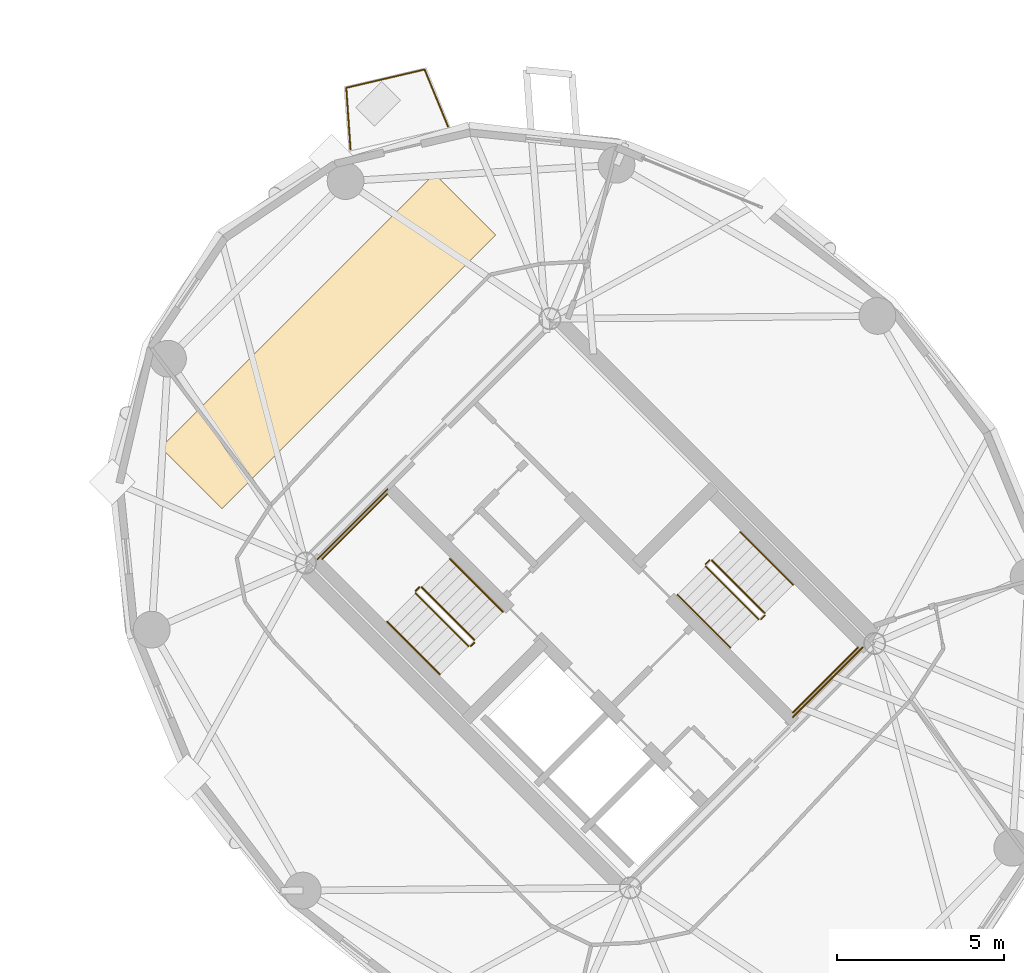
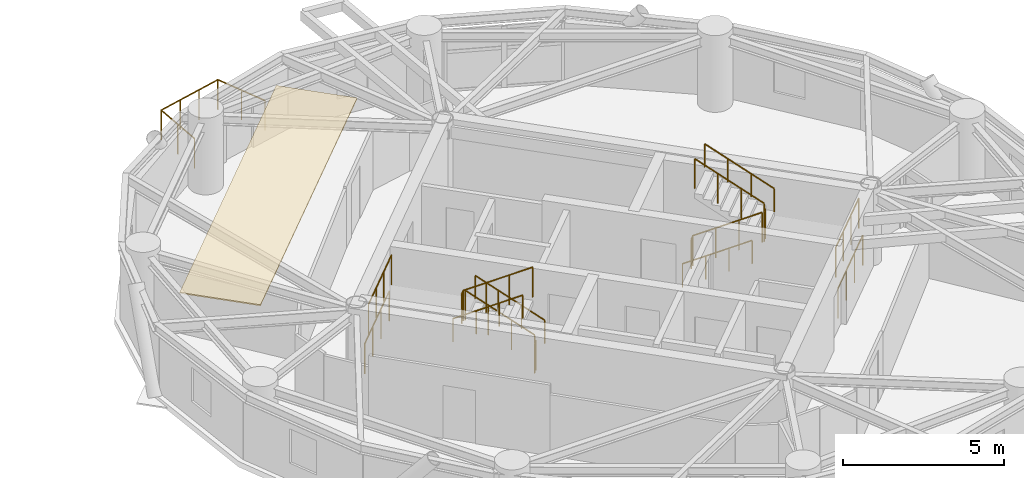
# One storey, part 15 of 16: 17 railings, 1 covering.
"""IFC4 building model written with IfcOpenShell, lengths in metres."""

from ifc_helpers import new_model, si_unit, direction, frame, origin, origin_2d, place, context, subcontext, project, spatial, polyline, circle, outline, extrude, material, layer, layer_set, type_object, element, save


model = new_model("IFC4")

# Units and contexts
model_context = context("Model", 3, precision=1e-05, world=origin(), true_north=direction((0.0, 1.0)))
body_context = subcontext(model_context, "Body", "Model", "MODEL_VIEW")
ifc_project = project(units=[si_unit("LENGTHUNIT", "METRE"), si_unit("AREAUNIT", "SQUARE_METRE"), si_unit("VOLUMEUNIT", "CUBIC_METRE"), si_unit("PLANEANGLEUNIT", "RADIAN"), si_unit("MASSUNIT", "GRAM", prefix="KILO")], contexts=[model_context])

# Site, building, storey
site_placement = place(None, origin())
site = spatial("IfcSite", under=ifc_project, at=site_placement, CompositionType="ELEMENT")
building_placement = place(site_placement, origin())
building = spatial("IfcBuilding", under=site, at=building_placement, Name="Cununo Teusaquillo Station Towers", CompositionType="ELEMENT")
storey_placement = place(building_placement, frame((0.0, 0.0, 196.659912109375)))
storey = spatial("IfcBuildingStorey", under=building, at=storey_placement, Name="L62", CompositionType="ELEMENT", Elevation=196.659912109375)

# Covering
ifc_material_1 = material(Name="Mineral-fibre acoustic suspended ceiling tile", Category="finish")
ifc_layer = layer(ifc_material_1, 0.044921875)
ifc_layer_set = layer_set([ifc_layer], Name="Mineral-fibre acoustic suspended ceiling tile")
covering_type = type_object("IfcCoveringType", Name="COV-CEIL-600", PredefinedType="CEILING", material=ifc_layer_set)
covering_placement = place(storey_placement, frame((0.0, 0.0, 2.655029296875)))
element("IfcCovering", 1, at=covering_placement, inside=storey, type_object=covering_type, Name="L62 Tower B Acoustic Ceiling", PredefinedType="CEILING", context=body_context, shape_type="SweptSolid", body=[
    extrude(outline(polyline([(52.8330078125, 37.369384765625), (54.671630859375, 35.531005859375), (46.468994140625, 27.328369140625), (44.630615234375, 29.1669921875), (52.8330078125, 37.369384765625)])), origin(), (0.0, 0.0, 1.0), 0.045166015625),
])

# Railings
ifc_material_2 = material(Name="Anodised dark bronze aluminium EN AW-6063-T6", Category="aluminium")
railing_type_1 = type_object("IfcRailingType", Name="RL-EXT-GUARD", PredefinedType="GUARDRAIL", material=ifc_material_2)
railing_1_placement = place(storey_placement, frame((50.320556640625, 38.0986328125, 0.0)))
element("IfcRailing", 2, at=railing_1_placement, inside=storey, type_object=railing_type_1, Name="L62 Tower B Balcony Guardrail C03", PredefinedType="GUARDRAIL", context=body_context, shape_type="SweptSolid", body=[
    extrude(circle(Radius=0.02392578125, at=origin_2d()), frame((0.0, 0.0, 1.1259765625), z_axis=(-0.068657089116, 0.997640318007, 0.0), x_axis=(-0.997640318007, -0.068657089116, 0.0)), (0.0, 0.0, 1.0), 1.84912109375),
    extrude(circle(Radius=0.02392578125, at=origin_2d()), frame((-0.126953125, 1.8447265625, 1.1259765625), z_axis=(0.973841956979, 0.227226413139, 0.0), x_axis=(-0.227226413139, 0.973841956979, 0.0)), (0.0, 0.0, 1.0), 2.409912109375),
    extrude(circle(Radius=0.02392578125, at=origin_2d()), frame((2.219970703125, 2.392333984375, 1.1259765625), z_axis=(0.379912800848, -0.925022304462, 0.0), x_axis=(0.925022304462, 0.379912800848, 0.0)), (0.0, 0.0, 1.0), 1.848876953125),
    extrude(circle(Radius=0.02099609375, at=origin_2d()), origin(), (0.0, 0.0, 1.0), 1.101806640625),
    extrude(circle(Radius=0.02099609375, at=origin_2d()), frame((-0.0634765625, 0.92236328125, 0.0)), (0.0, 0.0, 1.0), 1.101806640625),
    extrude(circle(Radius=0.02099609375, at=origin_2d()), frame((-0.126953125, 1.8447265625, 0.0)), (0.0, 0.0, 1.0), 1.101806640625),
    extrude(circle(Radius=0.02099609375, at=origin_2d()), frame((0.6552734375, 2.02734375, 0.0)), (0.0, 0.0, 1.0), 1.101806640625),
    extrude(circle(Radius=0.02099609375, at=origin_2d()), frame((1.437744140625, 2.209716796875, 0.0)), (0.0, 0.0, 1.0), 1.101806640625),
    extrude(circle(Radius=0.02099609375, at=origin_2d()), frame((2.219970703125, 2.392333984375, 0.0)), (0.0, 0.0, 1.0), 1.101806640625),
    extrude(circle(Radius=0.02099609375, at=origin_2d()), frame((2.5712890625, 1.537109375, 0.0)), (0.0, 0.0, 1.0), 1.101806640625),
    extrude(circle(Radius=0.02099609375, at=origin_2d()), frame((2.92236328125, 0.68212890625, 0.0)), (0.0, 0.0, 1.0), 1.101806640625),
])
ifc_material_3 = material(Name="Steel EN 10025-2 S355J2", Category="steel")
railing_type_2 = type_object("IfcRailingType", Name="RL-INT-GUARD", PredefinedType="GUARDRAIL", material=ifc_material_3)
railing_2_placement = place(storey_placement, frame((54.03515625, 23.39697265625, 0.161865234375)))
element("IfcRailing", 3, at=railing_2_placement, inside=storey, type_object=railing_type_2, Name="L62 ST-T2-1 stair guard 1", PredefinedType="GUARDRAIL", context=body_context, shape_type="SweptSolid", body=[
    extrude(circle(Radius=0.02392578125, at=origin_2d()), frame((0.0, 0.0, 1.1259765625), z_axis=(-0.612361259024, 0.612361259024, 0.500027376144), x_axis=(-0.707106781187, -0.707106781187, 0.0)), (0.0, 0.0, 1.0), 2.586181640625),
    extrude(circle(Radius=0.02099609375, at=origin_2d()), origin(), (0.0, 0.0, 1.0), 1.101806640625),
    extrude(circle(Radius=0.02099609375, at=origin_2d()), frame((-0.52783203125, 0.52783203125, 0.43115234375)), (0.0, 0.0, 1.0), 1.101806640625),
    extrude(circle(Radius=0.02099609375, at=origin_2d()), frame((-1.055908203125, 1.055908203125, 0.862060546875)), (0.0, 0.0, 1.0), 1.101806640625),
    extrude(circle(Radius=0.02099609375, at=origin_2d()), frame((-1.583740234375, 1.583740234375, 1.293212890625)), (0.0, 0.0, 1.0), 1.101806640625),
])
railing_3_placement = place(storey_placement, frame((52.380615234375, 24.980712890625, 1.455078125)))
element("IfcRailing", 4, at=railing_3_placement, inside=storey, type_object=railing_type_2, Name="L62 ST-T2-1 stair guard 2", PredefinedType="GUARDRAIL", context=body_context, shape_type="SweptSolid", body=[
    extrude(circle(Radius=0.02392578125, at=origin_2d()), frame((0.0, 0.0, 1.1259765625), z_axis=(-0.7078691598, -0.706343579714, 0.0), x_axis=(0.706343579714, -0.7078691598, 0.0)), (0.0, 0.0, 1.0), 0.159912109375),
    extrude(circle(Radius=0.02099609375, at=origin_2d()), origin(), (0.0, 0.0, 1.0), 1.101806640625),
    extrude(circle(Radius=0.02099609375, at=origin_2d()), frame((-0.11328125, -0.113037109375, 0.0)), (0.0, 0.0, 1.0), 1.101806640625),
])
railing_4_placement = place(storey_placement, frame((51.426025390625, 27.77392578125, 1.455078125)))
element("IfcRailing", 5, at=railing_4_placement, inside=storey, type_object=railing_type_2, Name="L62 ST-T2-1 stair guard 3", PredefinedType="GUARDRAIL", context=body_context, shape_type="SweptSolid", body=[
    extrude(circle(Radius=0.02392578125, at=origin_2d()), frame((0.0, 0.0, 1.1259765625), z_axis=(-0.707106781187, -0.707106781187, 0.0), x_axis=(0.707106781187, -0.707106781187, 0.0)), (0.0, 0.0, 1.0), 2.760009765625),
    extrude(circle(Radius=0.02099609375, at=origin_2d()), origin(), (0.0, 0.0, 1.0), 1.101806640625),
    extrude(circle(Radius=0.02099609375, at=origin_2d()), frame((-0.650634765625, -0.650634765625, 0.0)), (0.0, 0.0, 1.0), 1.101806640625),
    extrude(circle(Radius=0.02099609375, at=origin_2d()), frame((-1.301025390625, -1.301025390625, 0.0)), (0.0, 0.0, 1.0), 1.101806640625),
    extrude(circle(Radius=0.02099609375, at=origin_2d()), frame((-1.95166015625, -1.95166015625, 0.0)), (0.0, 0.0, 1.0), 1.101806640625),
])
railing_5_placement = place(storey_placement, frame((52.267333984375, 24.796875, 1.61669921875)))
element("IfcRailing", 6, at=railing_5_placement, inside=storey, type_object=railing_type_2, Name="L62 ST-T2-1 stair guard 4", PredefinedType="GUARDRAIL", context=body_context, shape_type="SweptSolid", body=[
    extrude(circle(Radius=0.02392578125, at=origin_2d()), frame((0.0, 0.0, 1.1259765625), z_axis=(0.612391349474, -0.612296961165, 0.500069261639), x_axis=(0.707052281454, 0.707161276719, 0.0)), (0.0, 0.0, 1.0), 2.586669921875),
    extrude(circle(Radius=0.02099609375, at=origin_2d()), origin(), (0.0, 0.0, 1.0), 1.101806640625),
    extrude(circle(Radius=0.02099609375, at=origin_2d()), frame((0.528076171875, -0.52783203125, 0.43115234375)), (0.0, 0.0, 1.0), 1.101806640625),
    extrude(circle(Radius=0.02099609375, at=origin_2d()), frame((1.055908203125, -1.055908203125, 0.8623046875)), (0.0, 0.0, 1.0), 1.101806640625),
    extrude(circle(Radius=0.02099609375, at=origin_2d()), frame((1.583984375, -1.583740234375, 1.29345703125)), (0.0, 0.0, 1.0), 1.101806640625),
])
railing_6_placement = place(storey_placement, frame((54.03515625, 23.326171875, 0.0)))
element("IfcRailing", 7, at=railing_6_placement, inside=storey, type_object=railing_type_2, Name="L62 ST-T2-1 stair guard 5", PredefinedType="GUARDRAIL", context=body_context, shape_type="SweptSolid", body=[
    extrude(circle(Radius=0.02392578125, at=origin_2d()), frame((0.0, 0.0, 1.1259765625), z_axis=(-0.707106781187, -0.707106781187, 0.0), x_axis=(0.707106781187, -0.707106781187, 0.0)), (0.0, 0.0, 1.0), 0.159912109375),
    extrude(circle(Radius=0.02099609375, at=origin_2d()), origin(), (0.0, 0.0, 1.0), 1.101806640625),
    extrude(circle(Radius=0.02099609375, at=origin_2d()), frame((-0.113037109375, -0.113037109375, 0.0)), (0.0, 0.0, 1.0), 1.101806640625),
])
railing_7_placement = place(storey_placement, frame((51.426025390625, 27.915283203125, 0.0)))
element("IfcRailing", 8, at=railing_7_placement, inside=storey, type_object=railing_type_2, Name="L62 ST-T2-1 stair guard 6", PredefinedType="GUARDRAIL", context=body_context, shape_type="SweptSolid", body=[
    extrude(circle(Radius=0.02392578125, at=origin_2d()), frame((0.0, 0.0, 1.1259765625), z_axis=(-0.707106781187, -0.707106781187, 0.0), x_axis=(0.707106781187, -0.707106781187, 0.0)), (0.0, 0.0, 1.0), 2.9599609375),
    extrude(circle(Radius=0.02099609375, at=origin_2d()), origin(), (0.0, 0.0, 1.0), 1.101806640625),
    extrude(circle(Radius=0.02099609375, at=origin_2d()), frame((-0.69775390625, -0.69775390625, 0.0)), (0.0, 0.0, 1.0), 1.101806640625),
    extrude(circle(Radius=0.02099609375, at=origin_2d()), frame((-1.395263671875, -1.395263671875, 0.0)), (0.0, 0.0, 1.0), 1.101806640625),
    extrude(circle(Radius=0.02099609375, at=origin_2d()), frame((-2.093017578125, -2.093017578125, 0.0)), (0.0, 0.0, 1.0), 1.101806640625),
])
railing_8_placement = place(storey_placement, frame((60.96484375, 25.60302734375, 0.161865234375)))
element("IfcRailing", 9, at=railing_8_placement, inside=storey, type_object=railing_type_2, Name="L62 ST-T2-2 stair guard 1", PredefinedType="GUARDRAIL", context=body_context, shape_type="SweptSolid", body=[
    extrude(circle(Radius=0.02392578125, at=origin_2d()), frame((0.0, 0.0, 1.1259765625), z_axis=(0.612361259024, -0.612361259024, 0.500027376144), x_axis=(0.707106781187, 0.707106781187, 0.0)), (0.0, 0.0, 1.0), 2.586181640625),
    extrude(circle(Radius=0.02099609375, at=origin_2d()), origin(), (0.0, 0.0, 1.0), 1.101806640625),
    extrude(circle(Radius=0.02099609375, at=origin_2d()), frame((0.52783203125, -0.52783203125, 0.43115234375)), (0.0, 0.0, 1.0), 1.101806640625),
    extrude(circle(Radius=0.02099609375, at=origin_2d()), frame((1.055908203125, -1.055908203125, 0.862060546875)), (0.0, 0.0, 1.0), 1.101806640625),
    extrude(circle(Radius=0.02099609375, at=origin_2d()), frame((1.583740234375, -1.583740234375, 1.293212890625)), (0.0, 0.0, 1.0), 1.101806640625),
])
railing_9_placement = place(storey_placement, frame((62.619384765625, 24.019287109375, 1.455078125)))
element("IfcRailing", 10, at=railing_9_placement, inside=storey, type_object=railing_type_2, Name="L62 ST-T2-2 stair guard 2", PredefinedType="GUARDRAIL", context=body_context, shape_type="SweptSolid", body=[
    extrude(circle(Radius=0.02392578125, at=origin_2d()), frame((0.0, 0.0, 1.1259765625), z_axis=(0.7078691598, 0.706343579714, 0.0), x_axis=(-0.706343579714, 0.7078691598, 0.0)), (0.0, 0.0, 1.0), 0.159912109375),
    extrude(circle(Radius=0.02099609375, at=origin_2d()), origin(), (0.0, 0.0, 1.0), 1.101806640625),
    extrude(circle(Radius=0.02099609375, at=origin_2d()), frame((0.11328125, 0.113037109375, 0.0)), (0.0, 0.0, 1.0), 1.101806640625),
])
railing_10_placement = place(storey_placement, frame((63.573974609375, 21.22607421875, 1.455078125)))
element("IfcRailing", 11, at=railing_10_placement, inside=storey, type_object=railing_type_2, Name="L62 ST-T2-2 stair guard 3", PredefinedType="GUARDRAIL", context=body_context, shape_type="SweptSolid", body=[
    extrude(circle(Radius=0.02392578125, at=origin_2d()), frame((0.0, 0.0, 1.1259765625), z_axis=(0.707106781187, 0.707106781187, 0.0), x_axis=(-0.707106781187, 0.707106781187, 0.0)), (0.0, 0.0, 1.0), 2.760009765625),
    extrude(circle(Radius=0.02099609375, at=origin_2d()), origin(), (0.0, 0.0, 1.0), 1.101806640625),
    extrude(circle(Radius=0.02099609375, at=origin_2d()), frame((0.650634765625, 0.650634765625, 0.0)), (0.0, 0.0, 1.0), 1.101806640625),
    extrude(circle(Radius=0.02099609375, at=origin_2d()), frame((1.301025390625, 1.301025390625, 0.0)), (0.0, 0.0, 1.0), 1.101806640625),
    extrude(circle(Radius=0.02099609375, at=origin_2d()), frame((1.95166015625, 1.95166015625, 0.0)), (0.0, 0.0, 1.0), 1.101806640625),
])
railing_11_placement = place(storey_placement, frame((62.732666015625, 24.203125, 1.61669921875)))
element("IfcRailing", 12, at=railing_11_placement, inside=storey, type_object=railing_type_2, Name="L62 ST-T2-2 stair guard 4", PredefinedType="GUARDRAIL", context=body_context, shape_type="SweptSolid", body=[
    extrude(circle(Radius=0.02392578125, at=origin_2d()), frame((0.0, 0.0, 1.1259765625), z_axis=(-0.612391349474, 0.612296961165, 0.500069261639), x_axis=(-0.707052281454, -0.707161276719, 0.0)), (0.0, 0.0, 1.0), 2.586669921875),
    extrude(circle(Radius=0.02099609375, at=origin_2d()), origin(), (0.0, 0.0, 1.0), 1.101806640625),
    extrude(circle(Radius=0.02099609375, at=origin_2d()), frame((-0.528076171875, 0.52783203125, 0.43115234375)), (0.0, 0.0, 1.0), 1.101806640625),
    extrude(circle(Radius=0.02099609375, at=origin_2d()), frame((-1.055908203125, 1.055908203125, 0.8623046875)), (0.0, 0.0, 1.0), 1.101806640625),
    extrude(circle(Radius=0.02099609375, at=origin_2d()), frame((-1.583984375, 1.583740234375, 1.29345703125)), (0.0, 0.0, 1.0), 1.101806640625),
])
railing_12_placement = place(storey_placement, frame((60.96484375, 25.673828125, 0.0)))
element("IfcRailing", 13, at=railing_12_placement, inside=storey, type_object=railing_type_2, Name="L62 ST-T2-2 stair guard 5", PredefinedType="GUARDRAIL", context=body_context, shape_type="SweptSolid", body=[
    extrude(circle(Radius=0.02392578125, at=origin_2d()), frame((0.0, 0.0, 1.1259765625), z_axis=(0.707106781187, 0.707106781187, 0.0), x_axis=(-0.707106781187, 0.707106781187, 0.0)), (0.0, 0.0, 1.0), 0.159912109375),
    extrude(circle(Radius=0.02099609375, at=origin_2d()), origin(), (0.0, 0.0, 1.0), 1.101806640625),
    extrude(circle(Radius=0.02099609375, at=origin_2d()), frame((0.113037109375, 0.113037109375, 0.0)), (0.0, 0.0, 1.0), 1.101806640625),
])
railing_13_placement = place(storey_placement, frame((63.573974609375, 21.084716796875, 0.0)))
element("IfcRailing", 14, at=railing_13_placement, inside=storey, type_object=railing_type_2, Name="L62 ST-T2-2 stair guard 6", PredefinedType="GUARDRAIL", context=body_context, shape_type="SweptSolid", body=[
    extrude(circle(Radius=0.02392578125, at=origin_2d()), frame((0.0, 0.0, 1.1259765625), z_axis=(0.707106781187, 0.707106781187, 0.0), x_axis=(-0.707106781187, 0.707106781187, 0.0)), (0.0, 0.0, 1.0), 2.9599609375),
    extrude(circle(Radius=0.02099609375, at=origin_2d()), origin(), (0.0, 0.0, 1.0), 1.101806640625),
    extrude(circle(Radius=0.02099609375, at=origin_2d()), frame((0.69775390625, 0.69775390625, 0.0)), (0.0, 0.0, 1.0), 1.101806640625),
    extrude(circle(Radius=0.02099609375, at=origin_2d()), frame((1.395263671875, 1.395263671875, 0.0)), (0.0, 0.0, 1.0), 1.101806640625),
    extrude(circle(Radius=0.02099609375, at=origin_2d()), frame((2.093017578125, 2.093017578125, 0.0)), (0.0, 0.0, 1.0), 1.101806640625),
])
ifc_material_4 = material(Name="Steel EN 10025-2 S355J2", Category="steel")
railing_type_3 = type_object("IfcRailingType", Name="RL-INT-HRAIL", PredefinedType="HANDRAIL", material=ifc_material_4)
railing_14_placement = place(storey_placement, frame((54.8837890625, 24.245361328125, 0.161865234375)))
element("IfcRailing", 15, at=railing_14_placement, inside=storey, type_object=railing_type_3, Name="L62 ST-T2-1 stair handrail 1", PredefinedType="HANDRAIL", context=body_context, shape_type="SweptSolid", body=[
    extrude(circle(Radius=0.02392578125, at=origin_2d()), frame((0.0, 0.0, 0.8759765625), z_axis=(-0.612384857071, 0.612384857071, 0.499969572735), x_axis=(-0.707106781187, -0.707106781187, 0.0)), (0.0, 0.0, 1.0), 2.586669921875),
    extrude(circle(Radius=0.02099609375, at=origin_2d()), origin(), (0.0, 0.0, 1.0), 0.851806640625),
    extrude(circle(Radius=0.02099609375, at=origin_2d()), frame((-0.528076171875, 0.528076171875, 0.43115234375)), (0.0, 0.0, 1.0), 0.851806640625),
    extrude(circle(Radius=0.02099609375, at=origin_2d()), frame((-1.055908203125, 1.055908203125, 0.862060546875)), (0.0, 0.0, 1.0), 0.851806640625),
    extrude(circle(Radius=0.02099609375, at=origin_2d()), frame((-1.583984375, 1.583984375, 1.293212890625)), (0.0, 0.0, 1.0), 0.851806640625),
])
railing_15_placement = place(storey_placement, frame((51.4189453125, 23.948486328125, 1.61669921875)))
element("IfcRailing", 16, at=railing_15_placement, inside=storey, type_object=railing_type_3, Name="L62 ST-T2-1 stair handrail 2", PredefinedType="HANDRAIL", context=body_context, shape_type="SweptSolid", body=[
    extrude(circle(Radius=0.02392578125, at=origin_2d()), frame((0.0, 0.0, 0.8759765625), z_axis=(0.612355957468, -0.612355957468, 0.500040361077), x_axis=(0.707106781187, 0.707106781187, 0.0)), (0.0, 0.0, 1.0), 2.586669921875),
    extrude(circle(Radius=0.02099609375, at=origin_2d()), origin(), (0.0, 0.0, 1.0), 0.851806640625),
    extrude(circle(Radius=0.02099609375, at=origin_2d()), frame((0.528076171875, -0.528076171875, 0.43115234375)), (0.0, 0.0, 1.0), 0.851806640625),
    extrude(circle(Radius=0.02099609375, at=origin_2d()), frame((1.055908203125, -1.055908203125, 0.8623046875)), (0.0, 0.0, 1.0), 0.851806640625),
    extrude(circle(Radius=0.02099609375, at=origin_2d()), frame((1.583984375, -1.583984375, 1.29345703125)), (0.0, 0.0, 1.0), 0.851806640625),
])
railing_16_placement = place(storey_placement, frame((60.1162109375, 24.754638671875, 0.161865234375)))
element("IfcRailing", 17, at=railing_16_placement, inside=storey, type_object=railing_type_3, Name="L62 ST-T2-2 stair handrail 1", PredefinedType="HANDRAIL", context=body_context, shape_type="SweptSolid", body=[
    extrude(circle(Radius=0.02392578125, at=origin_2d()), frame((0.0, 0.0, 0.8759765625), z_axis=(0.612384857071, -0.612384857071, 0.499969572735), x_axis=(0.707106781187, 0.707106781187, 0.0)), (0.0, 0.0, 1.0), 2.586669921875),
    extrude(circle(Radius=0.02099609375, at=origin_2d()), origin(), (0.0, 0.0, 1.0), 0.851806640625),
    extrude(circle(Radius=0.02099609375, at=origin_2d()), frame((0.528076171875, -0.528076171875, 0.43115234375)), (0.0, 0.0, 1.0), 0.851806640625),
    extrude(circle(Radius=0.02099609375, at=origin_2d()), frame((1.055908203125, -1.055908203125, 0.862060546875)), (0.0, 0.0, 1.0), 0.851806640625),
    extrude(circle(Radius=0.02099609375, at=origin_2d()), frame((1.583984375, -1.583984375, 1.293212890625)), (0.0, 0.0, 1.0), 0.851806640625),
])
railing_17_placement = place(storey_placement, frame((63.5810546875, 25.051513671875, 1.61669921875)))
element("IfcRailing", 18, at=railing_17_placement, inside=storey, type_object=railing_type_3, Name="L62 ST-T2-2 stair handrail 2", PredefinedType="HANDRAIL", context=body_context, shape_type="SweptSolid", body=[
    extrude(circle(Radius=0.02392578125, at=origin_2d()), frame((0.0, 0.0, 0.8759765625), z_axis=(-0.612355957468, 0.612355957468, 0.500040361077), x_axis=(-0.707106781187, -0.707106781187, 0.0)), (0.0, 0.0, 1.0), 2.586669921875),
    extrude(circle(Radius=0.02099609375, at=origin_2d()), origin(), (0.0, 0.0, 1.0), 0.851806640625),
    extrude(circle(Radius=0.02099609375, at=origin_2d()), frame((-0.528076171875, 0.528076171875, 0.43115234375)), (0.0, 0.0, 1.0), 0.851806640625),
    extrude(circle(Radius=0.02099609375, at=origin_2d()), frame((-1.055908203125, 1.055908203125, 0.8623046875)), (0.0, 0.0, 1.0), 0.851806640625),
    extrude(circle(Radius=0.02099609375, at=origin_2d()), frame((-1.583984375, 1.583984375, 1.29345703125)), (0.0, 0.0, 1.0), 0.851806640625),
])

save(model, "model.ifc")
